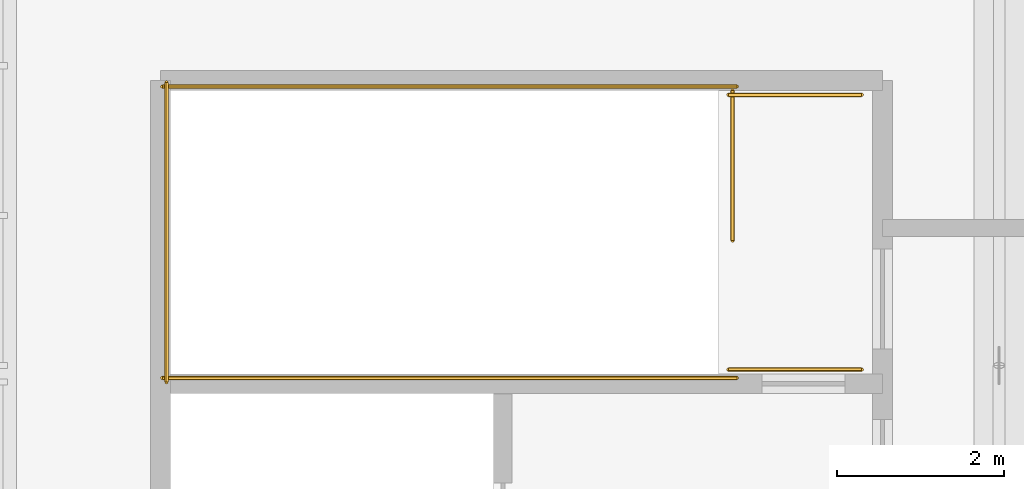
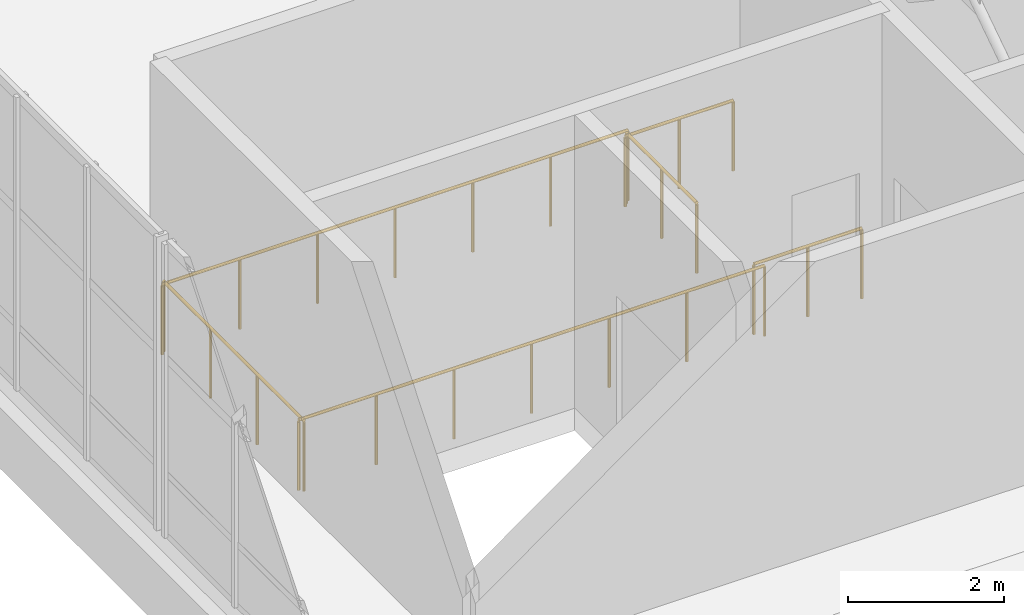
# One storey, part 46 of 49: 6 railings.
"""IFC4 building model written with IfcOpenShell, lengths in metres."""

from ifc_helpers import new_model, si_unit, direction, frame, origin, origin_2d, place, context, subcontext, project, spatial, circle, extrude, material, type_object, element, save


model = new_model("IFC4")

# Units and contexts
model_context = context("Model", 3, precision=1e-05, world=origin(), true_north=direction((0.0, 1.0)))
body_context = subcontext(model_context, "Body", "Model", "MODEL_VIEW")
ifc_project = project(units=[si_unit("LENGTHUNIT", "METRE"), si_unit("AREAUNIT", "SQUARE_METRE"), si_unit("VOLUMEUNIT", "CUBIC_METRE"), si_unit("PLANEANGLEUNIT", "RADIAN"), si_unit("MASSUNIT", "GRAM", prefix="KILO")], contexts=[model_context])

# Site, building, storey
site_placement = place(None, origin())
site = spatial("IfcSite", under=ifc_project, at=site_placement, CompositionType="ELEMENT")
building_placement = place(site_placement, origin())
building = spatial("IfcBuilding", under=site, at=building_placement, Name="Kamomehara Wholesale Market", CompositionType="ELEMENT")
storey_placement = place(building_placement, frame((0.0, 0.0, 11.39990234375)))
storey = spatial("IfcBuildingStorey", under=building, at=storey_placement, Name="L02", CompositionType="ELEMENT", Elevation=11.39990234375)

# Railings
ifc_material = material(Name="Steel SN400B", Category="steel")
railing_type = type_object("IfcRailingType", Name="RAL-INT-1100", PredefinedType="BALUSTRADE", material=ifc_material)
railing_1_placement = place(storey_placement, frame((8.800048828125, 129.300048828125, 0.0)))
element("IfcRailing", 1, at=railing_1_placement, inside=storey, type_object=railing_type, Name="L02 ST-04 top well guard 1", PredefinedType="BALUSTRADE", context=body_context, shape_type="SweptSolid", body=[
    extrude(circle(Radius=0.02392578125, at=origin_2d()), frame((0.0, 0.0, 1.09619140625), z_axis=(0.0, -1.0, 0.0), x_axis=(1.0, 0.0, 0.0)), (0.0, 0.0, 1.0), 1.800048828125),
    extrude(circle(Radius=0.02099609375, at=origin_2d()), origin(), (0.0, 0.0, 1.0), 1.072021484375),
    extrude(circle(Radius=0.02099609375, at=origin_2d()), frame((0.0, -0.89990234375, 0.0)), (0.0, 0.0, 1.0), 1.072021484375),
    extrude(circle(Radius=0.02099609375, at=origin_2d()), frame((0.0, -1.800048828125, 0.0)), (0.0, 0.0, 1.0), 1.072021484375),
])
for number, where, name in (
    (2, (8.85009765625, 129.35009765625, 0.0), "L02 ST-04 top well guard 2"),
    (3, (8.85009765625, 125.85009765625, 0.0), "L02 ST-04 top well guard 3"),
):
    element("IfcRailing", number, at=place(storey_placement, frame(where)), inside=storey, type_object=railing_type, Name=name, PredefinedType="BALUSTRADE", context=body_context, shape_type="SweptSolid", body=[
        extrude(circle(Radius=0.02392578125, at=origin_2d()), frame((0.0, 0.0, 1.09619140625), z_axis=(-1.0, 0.0, 0.0), x_axis=(0.0, -1.0, 0.0)), (0.0, 0.0, 1.0), 6.900146484375),
        extrude(circle(Radius=0.02099609375, at=origin_2d()), origin(), (0.0, 0.0, 1.0), 1.072021484375),
        extrude(circle(Radius=0.02099609375, at=origin_2d()), frame((-1.14990234375, 0.0, 0.0)), (0.0, 0.0, 1.0), 1.072021484375),
        extrude(circle(Radius=0.02099609375, at=origin_2d()), frame((-2.300048828125, 0.0, 0.0)), (0.0, 0.0, 1.0), 1.072021484375),
        extrude(circle(Radius=0.02099609375, at=origin_2d()), frame((-3.4501953125, 0.0, 0.0)), (0.0, 0.0, 1.0), 1.072021484375),
        extrude(circle(Radius=0.02099609375, at=origin_2d()), frame((-4.60009765625, 0.0, 0.0)), (0.0, 0.0, 1.0), 1.072021484375),
        extrude(circle(Radius=0.02099609375, at=origin_2d()), frame((-5.75, 0.0, 0.0)), (0.0, 0.0, 1.0), 1.072021484375),
        extrude(circle(Radius=0.02099609375, at=origin_2d()), frame((-6.900146484375, 0.0, 0.0)), (0.0, 0.0, 1.0), 1.072021484375),
    ])
railing_2_placement = place(storey_placement, frame((2.0, 129.39990234375, 0.0)))
element("IfcRailing", 4, at=railing_2_placement, inside=storey, type_object=railing_type, Name="L02 ST-04 top well guard 4", PredefinedType="BALUSTRADE", context=body_context, shape_type="SweptSolid", body=[
    extrude(circle(Radius=0.02392578125, at=origin_2d()), frame((0.0, 0.0, 1.09619140625), z_axis=(0.0, -1.0, 0.0), x_axis=(1.0, 0.0, 0.0)), (0.0, 0.0, 1.0), 3.599853515625),
    extrude(circle(Radius=0.02099609375, at=origin_2d()), origin(), (0.0, 0.0, 1.0), 1.072021484375),
    extrude(circle(Radius=0.02099609375, at=origin_2d()), frame((0.0, -1.199951171875, 0.0)), (0.0, 0.0, 1.0), 1.072021484375),
    extrude(circle(Radius=0.02099609375, at=origin_2d()), frame((0.0, -2.39990234375, 0.0)), (0.0, 0.0, 1.0), 1.072021484375),
    extrude(circle(Radius=0.02099609375, at=origin_2d()), frame((0.0, -3.599853515625, 0.0)), (0.0, 0.0, 1.0), 1.072021484375),
])
for number, where, name in (
    (5, (10.35009765625, 129.25, 0.0), "L02 ST-04 top well guard 5"),
    (6, (10.35009765625, 125.949951171875, 0.0), "L02 ST-04 top well guard 6"),
):
    element("IfcRailing", number, at=place(storey_placement, frame(where)), inside=storey, type_object=railing_type, Name=name, PredefinedType="BALUSTRADE", context=body_context, shape_type="SweptSolid", body=[
        extrude(circle(Radius=0.02392578125, at=origin_2d()), frame((0.0, 0.0, 1.09619140625), z_axis=(-1.0, 0.0, 0.0), x_axis=(0.0, -1.0, 0.0)), (0.0, 0.0, 1.0), 1.60009765625),
        extrude(circle(Radius=0.02099609375, at=origin_2d()), origin(), (0.0, 0.0, 1.0), 1.072021484375),
        extrude(circle(Radius=0.02099609375, at=origin_2d()), frame((-0.800048828125, 0.0, 0.0)), (0.0, 0.0, 1.0), 1.072021484375),
        extrude(circle(Radius=0.02099609375, at=origin_2d()), frame((-1.60009765625, 0.0, 0.0)), (0.0, 0.0, 1.0), 1.072021484375),
    ])

save(model, "model.ifc")
